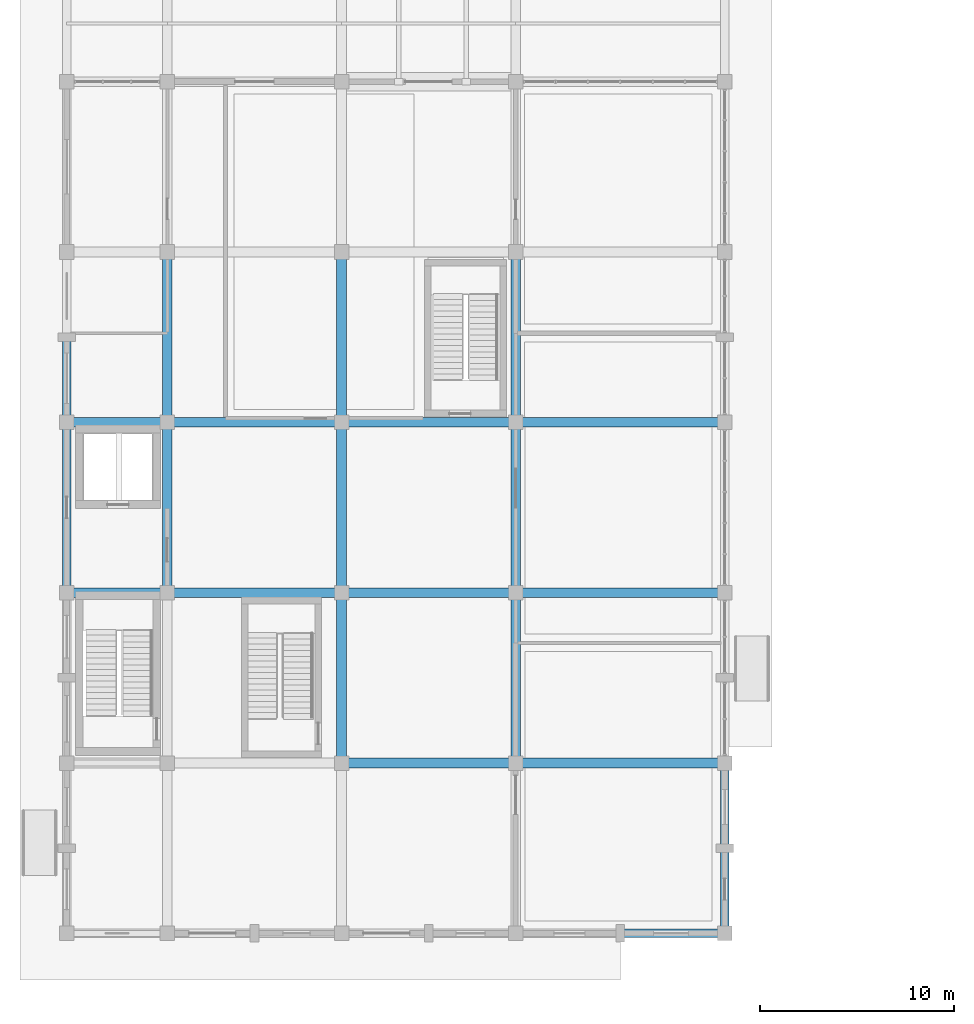
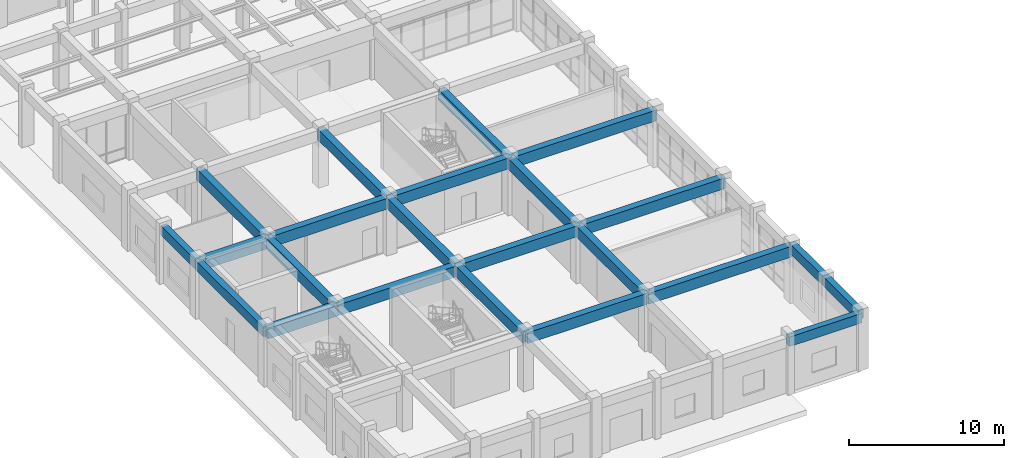
# One storey, part 2 of 47: 23 beams.
"""IFC4 building model written with IfcOpenShell, lengths in metres."""

from ifc_helpers import new_model, si_unit, direction, frame, origin, origin_2d, place, context, subcontext, project, spatial, rectangle, extrude, material, material_profile, profile_set, type_object, element, save


model = new_model("IFC4")

# Units and contexts
model_context = context("Model", 3, precision=1e-05, world=origin(), true_north=direction((0.0, 1.0)))
body_context = subcontext(model_context, "Body", "Model", "MODEL_VIEW")
ifc_project = project(units=[si_unit("LENGTHUNIT", "METRE"), si_unit("AREAUNIT", "SQUARE_METRE"), si_unit("VOLUMEUNIT", "CUBIC_METRE"), si_unit("PLANEANGLEUNIT", "RADIAN"), si_unit("MASSUNIT", "GRAM", prefix="KILO")], contexts=[model_context])

# Site, building, storey
site_placement = place(None, origin())
site = spatial("IfcSite", under=ifc_project, at=site_placement, CompositionType="ELEMENT")
building_placement = place(site_placement, origin())
building = spatial("IfcBuilding", under=site, at=building_placement, Name="Ventoquebrada Cableway Terminal", CompositionType="ELEMENT")
storey_placement = place(building_placement, origin())
storey = spatial("IfcBuildingStorey", under=building, at=storey_placement, Name="L00", CompositionType="ELEMENT", Elevation=0.0)

# Beams
ifc_material = material(Name="Concrete C40/50", Category="concrete")
ifc_material_profile_1 = material_profile(ifc_material, rectangle(XDim=0.5, YDim=0.85009765625, at=origin_2d()), Name="RC-BM-500X850")
ifc_profile_set_1 = profile_set([ifc_material_profile_1], Name="Concrete C40/50")
beam_type_1 = type_object("IfcBeamType", Name="BM-RC04", PredefinedType="BEAM", material=ifc_profile_set_1)
beam_1_placement = place(storey_placement, frame((17.199951171875, 11.800048828125, 4.014892578125), z_axis=(1.0, 0.0, 0.0), x_axis=(0.0, 1.0, 0.0)))
element("IfcBeam", 1, at=beam_1_placement, inside=storey, type_object=beam_type_1, Name="Primary frame girder FBM-0082", PredefinedType="BEAM", context=body_context, shape_type="SweptSolid", body=[
    extrude(rectangle(XDim=0.5, YDim=0.85009765625, at=origin_2d()), origin(), (0.0, 0.0, 1.0), 9.0),
])
beam_2_placement = place(storey_placement, frame((26.199951171875, 11.800048828125, 3.955078125), z_axis=(1.0, 0.0, 0.0), x_axis=(0.0, 1.0, 0.0)))
element("IfcBeam", 2, at=beam_2_placement, inside=storey, type_object=beam_type_1, Name="Primary frame girder FBM-0083", PredefinedType="BEAM", context=body_context, shape_type="SweptSolid", body=[
    extrude(rectangle(XDim=0.5, YDim=0.85009765625, at=origin_2d()), origin(), (0.0, 0.0, 1.0), 10.800048828125),
])
beam_3_placement = place(storey_placement, frame((3.0, 20.60009765625, 4.014892578125), z_axis=(1.0, 0.0, 0.0), x_axis=(0.0, 1.0, 0.0)))
element("IfcBeam", 3, at=beam_3_placement, inside=storey, type_object=beam_type_1, Name="Primary frame girder FBM-0084", PredefinedType="BEAM", context=body_context, shape_type="SweptSolid", body=[
    extrude(rectangle(XDim=0.5, YDim=0.85009765625, at=origin_2d()), origin(), (0.0, 0.0, 1.0), 5.199951171875),
])
for number, where, z_axis, x_axis, name in (
    (4, (8.199951171875, 20.60009765625, 4.014892578125), (1.0, 0.0, 0.0), (0.0, 1.0, 0.0), "Primary frame girder FBM-0085"),
    (5, (17.199951171875, 20.60009765625, 4.014892578125), (1.0, 0.0, 0.0), (0.0, 1.0, 0.0), "Primary frame girder FBM-0086"),
):
    element("IfcBeam", number, at=place(storey_placement, frame(where, z_axis=z_axis, x_axis=x_axis)), inside=storey, type_object=beam_type_1, Name=name, PredefinedType="BEAM", context=body_context, shape_type="SweptSolid", body=[
        extrude(rectangle(XDim=0.5, YDim=0.85009765625, at=origin_2d()), origin(), (0.0, 0.0, 1.0), 9.0),
    ])
beam_4_placement = place(storey_placement, frame((26.199951171875, 20.60009765625, 3.955078125), z_axis=(1.0, 0.0, 0.0), x_axis=(0.0, 1.0, 0.0)))
element("IfcBeam", 6, at=beam_4_placement, inside=storey, type_object=beam_type_1, Name="Primary frame girder FBM-0087", PredefinedType="BEAM", context=body_context, shape_type="SweptSolid", body=[
    extrude(rectangle(XDim=0.5, YDim=0.85009765625, at=origin_2d()), origin(), (0.0, 0.0, 1.0), 10.800048828125),
])
beam_5_placement = place(storey_placement, frame((3.0, 29.39990234375, 4.014892578125), z_axis=(1.0, 0.0, 0.0), x_axis=(0.0, 1.0, 0.0)))
element("IfcBeam", 7, at=beam_5_placement, inside=storey, type_object=beam_type_1, Name="Primary frame girder FBM-0088", PredefinedType="BEAM", context=body_context, shape_type="SweptSolid", body=[
    extrude(rectangle(XDim=0.5, YDim=0.85009765625, at=origin_2d()), origin(), (0.0, 0.0, 1.0), 5.199951171875),
])
for number, where, z_axis, x_axis, name in (
    (8, (8.199951171875, 29.39990234375, 4.014892578125), (1.0, 0.0, 0.0), (0.0, 1.0, 0.0), "Primary frame girder FBM-0089"),
    (9, (17.199951171875, 29.39990234375, 4.014892578125), (1.0, 0.0, 0.0), (0.0, 1.0, 0.0), "Primary frame girder FBM-0090"),
):
    element("IfcBeam", number, at=place(storey_placement, frame(where, z_axis=z_axis, x_axis=x_axis)), inside=storey, type_object=beam_type_1, Name=name, PredefinedType="BEAM", context=body_context, shape_type="SweptSolid", body=[
        extrude(rectangle(XDim=0.5, YDim=0.85009765625, at=origin_2d()), origin(), (0.0, 0.0, 1.0), 9.0),
    ])
beam_6_placement = place(storey_placement, frame((26.199951171875, 29.39990234375, 3.955078125), z_axis=(1.0, 0.0, 0.0), x_axis=(0.0, 1.0, 0.0)))
element("IfcBeam", 10, at=beam_6_placement, inside=storey, type_object=beam_type_1, Name="Primary frame girder FBM-0091", PredefinedType="BEAM", context=body_context, shape_type="SweptSolid", body=[
    extrude(rectangle(XDim=0.5, YDim=0.85009765625, at=origin_2d()), origin(), (0.0, 0.0, 1.0), 10.800048828125),
])
beam_7_placement = place(storey_placement, frame((8.199951171875, 20.60009765625, 4.014892578125), z_axis=(0.0, 1.0, 0.0), x_axis=(-1.0, 0.0, 0.0)))
element("IfcBeam", 11, at=beam_7_placement, inside=storey, type_object=beam_type_1, Name="Primary frame girder FBM-0119", PredefinedType="BEAM", context=body_context, shape_type="SweptSolid", body=[
    extrude(rectangle(XDim=0.5, YDim=0.85009765625, at=origin_2d()), origin(), (0.0, 0.0, 1.0), 8.7998046875),
])
for number, where, z_axis, x_axis, name in (
    (12, (8.199951171875, 29.39990234375, 4.014892578125), (0.0, 1.0, 0.0), (-1.0, 0.0, 0.0), "Primary frame girder FBM-0120"),
    (13, (17.199951171875, 11.800048828125, 4.014892578125), (0.0, 1.0, 0.0), (-1.0, 0.0, 0.0), "Primary frame girder FBM-0124"),
):
    element("IfcBeam", number, at=place(storey_placement, frame(where, z_axis=z_axis, x_axis=x_axis)), inside=storey, type_object=beam_type_1, Name=name, PredefinedType="BEAM", context=body_context, shape_type="SweptSolid", body=[
        extrude(rectangle(XDim=0.5, YDim=0.85009765625, at=origin_2d()), origin(), (0.0, 0.0, 1.0), 8.800048828125),
    ])
beam_8_placement = place(storey_placement, frame((17.199951171875, 20.60009765625, 4.014892578125), z_axis=(0.0, 1.0, 0.0), x_axis=(-1.0, 0.0, 0.0)))
element("IfcBeam", 14, at=beam_8_placement, inside=storey, type_object=beam_type_1, Name="Primary frame girder FBM-0125", PredefinedType="BEAM", context=body_context, shape_type="SweptSolid", body=[
    extrude(rectangle(XDim=0.5, YDim=0.85009765625, at=origin_2d()), origin(), (0.0, 0.0, 1.0), 8.7998046875),
])
for number, where, z_axis, x_axis, name in (
    (15, (17.199951171875, 29.39990234375, 4.014892578125), (0.0, 1.0, 0.0), (-1.0, 0.0, 0.0), "Primary frame girder FBM-0126"),
    (16, (26.199951171875, 11.800048828125, 3.955078125), (0.0, 1.0, 0.0), (-1.0, 0.0, 0.0), "Primary frame girder FBM-0130"),
):
    element("IfcBeam", number, at=place(storey_placement, frame(where, z_axis=z_axis, x_axis=x_axis)), inside=storey, type_object=beam_type_1, Name=name, PredefinedType="BEAM", context=body_context, shape_type="SweptSolid", body=[
        extrude(rectangle(XDim=0.5, YDim=0.85009765625, at=origin_2d()), origin(), (0.0, 0.0, 1.0), 8.800048828125),
    ])
beam_9_placement = place(storey_placement, frame((26.199951171875, 20.60009765625, 3.955078125), z_axis=(0.0, 1.0, 0.0), x_axis=(-1.0, 0.0, 0.0)))
element("IfcBeam", 17, at=beam_9_placement, inside=storey, type_object=beam_type_1, Name="Primary frame girder FBM-0131", PredefinedType="BEAM", context=body_context, shape_type="SweptSolid", body=[
    extrude(rectangle(XDim=0.5, YDim=0.85009765625, at=origin_2d()), origin(), (0.0, 0.0, 1.0), 8.7998046875),
])
beam_10_placement = place(storey_placement, frame((26.199951171875, 29.39990234375, 3.955078125), z_axis=(0.0, 1.0, 0.0), x_axis=(-1.0, 0.0, 0.0)))
element("IfcBeam", 18, at=beam_10_placement, inside=storey, type_object=beam_type_1, Name="Primary frame girder FBM-0132", PredefinedType="BEAM", context=body_context, shape_type="SweptSolid", body=[
    extrude(rectangle(XDim=0.5, YDim=0.85009765625, at=origin_2d()), origin(), (0.0, 0.0, 1.0), 8.800048828125),
])
ifc_material_profile_2 = material_profile(ifc_material, rectangle(XDim=0.449951171875, YDim=0.75, at=origin_2d()), Name="RC-BM-450X750")
ifc_profile_set_2 = profile_set([ifc_material_profile_2], Name="Concrete C40/50")
beam_type_2 = type_object("IfcBeamType", Name="SP-RC02", PredefinedType="SPANDREL", material=ifc_profile_set_2)
beam_11_placement = place(storey_placement, frame((31.60009765625, 3.0, 4.0048828125), z_axis=(1.0, 0.0, 0.0), x_axis=(0.0, 1.0, 0.0)))
element("IfcBeam", 19, at=beam_11_placement, inside=storey, type_object=beam_type_2, Name="Perimeter spandrel beam FBM-0079", PredefinedType="SPANDREL", context=body_context, shape_type="SweptSolid", body=[
    extrude(rectangle(XDim=0.449951171875, YDim=0.75, at=origin_2d()), origin(), (0.0, 0.0, 1.0), 5.39990234375),
])
beam_12_placement = place(storey_placement, frame((3.0, 20.60009765625, 4.06494140625), z_axis=(0.0, 1.0, 0.0), x_axis=(-1.0, 0.0, 0.0)))
element("IfcBeam", 20, at=beam_12_placement, inside=storey, type_object=beam_type_2, Name="Perimeter spandrel beam FBM-0111", PredefinedType="SPANDREL", context=body_context, shape_type="SweptSolid", body=[
    extrude(rectangle(XDim=0.449951171875, YDim=0.75, at=origin_2d()), origin(), (0.0, 0.0, 1.0), 8.7998046875),
])
beam_13_placement = place(storey_placement, frame((3.0, 29.39990234375, 4.06494140625), z_axis=(0.0, 1.0, 0.0), x_axis=(-1.0, 0.0, 0.0)))
element("IfcBeam", 21, at=beam_13_placement, inside=storey, type_object=beam_type_2, Name="Perimeter spandrel beam FBM-0112", PredefinedType="SPANDREL", context=body_context, shape_type="SweptSolid", body=[
    extrude(rectangle(XDim=0.449951171875, YDim=0.75, at=origin_2d()), origin(), (0.0, 0.0, 1.0), 4.400146484375),
])
beam_14_placement = place(storey_placement, frame((37.0, 3.0, 4.155029296875), z_axis=(0.0, 1.0, 0.0), x_axis=(-1.0, 0.0, 0.0)))
element("IfcBeam", 22, at=beam_14_placement, inside=storey, type_object=beam_type_2, Name="Perimeter spandrel beam FBM-0135", PredefinedType="SPANDREL", context=body_context, shape_type="SweptSolid", body=[
    extrude(rectangle(XDim=0.449951171875, YDim=0.75, at=origin_2d()), origin(), (0.0, 0.0, 1.0), 4.39990234375),
])
beam_15_placement = place(storey_placement, frame((37.0, 7.39990234375, 4.155029296875), z_axis=(0.0, 1.0, 0.0), x_axis=(-1.0, 0.0, 0.0)))
element("IfcBeam", 23, at=beam_15_placement, inside=storey, type_object=beam_type_2, Name="Perimeter spandrel beam FBM-0136", PredefinedType="SPANDREL", context=body_context, shape_type="SweptSolid", body=[
    extrude(rectangle(XDim=0.449951171875, YDim=0.75, at=origin_2d()), origin(), (0.0, 0.0, 1.0), 4.400146484375),
])

save(model, "model.ifc")
